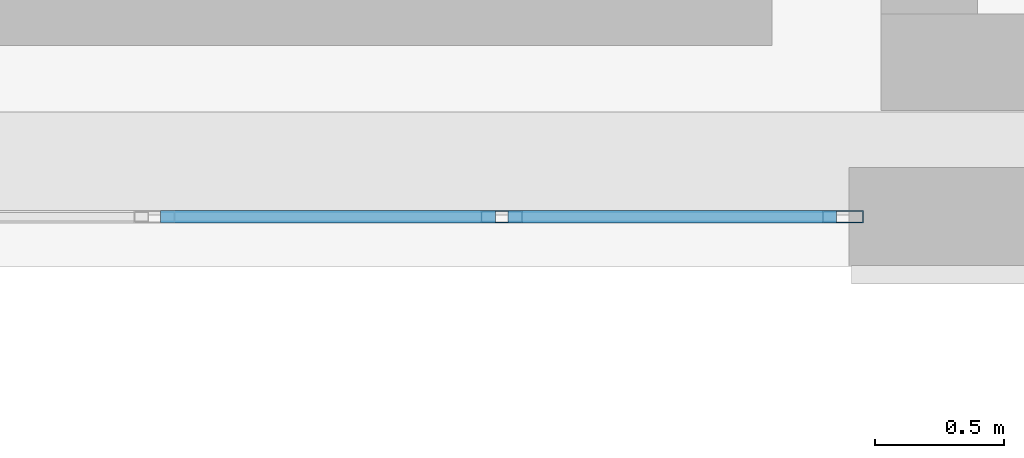
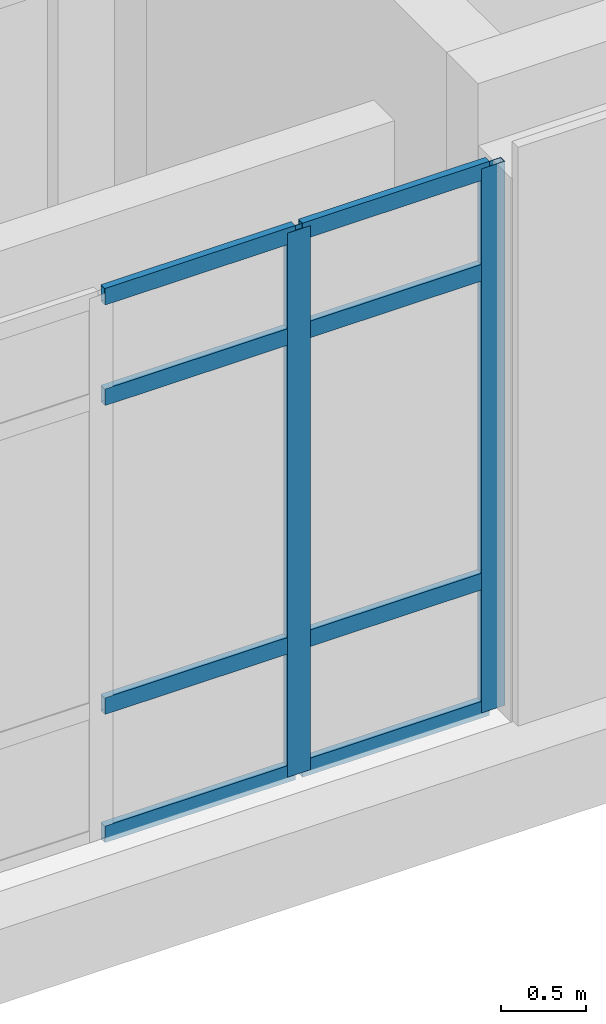
# One storey, part 18 of 90: 10 members, 1 element without a shape of its own.
"""IFC4 building model written with IfcOpenShell, lengths in metres."""

from ifc_helpers import new_model, si_unit, direction, frame, origin, origin_2d, place, context, subcontext, project, spatial, hollow_rectangle, extrude, material, layer, layer_set, material_profile, profile_set, type_object, element, aggregate, save


model = new_model("IFC4")

# Units and contexts
model_context = context("Model", 3, precision=1e-05, world=origin(), true_north=direction((0.0, 1.0)))
body_context = subcontext(model_context, "Body", "Model", "MODEL_VIEW")
ifc_project = project(units=[si_unit("LENGTHUNIT", "METRE"), si_unit("AREAUNIT", "SQUARE_METRE"), si_unit("VOLUMEUNIT", "CUBIC_METRE"), si_unit("PLANEANGLEUNIT", "RADIAN"), si_unit("MASSUNIT", "GRAM", prefix="KILO")], contexts=[model_context])

# Site, building, storey
site_placement = place(None, origin())
site = spatial("IfcSite", under=ifc_project, at=site_placement, CompositionType="ELEMENT")
building_placement = place(site_placement, origin())
building = spatial("IfcBuilding", under=site, at=building_placement, Name="Qalavern Law Courts", CompositionType="ELEMENT")
storey_placement = place(building_placement, frame((0.0, 0.0, 22.800048828125)))
storey = spatial("IfcBuildingStorey", under=building, at=storey_placement, Name="L05", CompositionType="ELEMENT", Elevation=22.800048828125)

# Curtain wall, members
ifc_material_1 = material(Name="Anodised aluminium and insulated glazing", Category="aluminium")
ifc_layer = layer(ifc_material_1, 0.159912109375)
ifc_layer_set = layer_set([ifc_layer], Name="Anodised aluminium and insulated glazing")
curtain_wall_type = type_object("IfcCurtainWallType", Name="ENV-CW-CHAMB", PredefinedType="USERDEFINED", material=ifc_layer_set)
curtain_wall_placement = place(storey_placement, origin())
curtain_wall = element("IfcCurtainWall", 1, at=curtain_wall_placement, inside=storey, type_object=curtain_wall_type, Name="V4 unitised curtain wall L05 south 2", ObjectType="UNITISED CURTAIN WALL", PredefinedType="USERDEFINED")
ifc_material_2 = material(Name="Anodised aluminium", Category="aluminium")
ifc_material_profile_1 = material_profile(ifc_material_2, hollow_rectangle(XDim=0.048095703125, YDim=0.159912109375, WallThickness=0.00390625, at=origin_2d()), Name="ALU MULLION 48x160")
ifc_profile_set_1 = profile_set([ifc_material_profile_1], Name="Anodised aluminium")
member_type_1 = type_object("IfcMemberType", Name="ENV-CWM-48x160", PredefinedType="MULLION", material=ifc_profile_set_1)
member_1_placement = place(storey_placement, frame((96.35009765625, 41.21240234375, 0.0), z_axis=(0.0, 0.0, 1.0), x_axis=(0.0, 1.0, 0.0)))
member_1 = element("IfcMember", 2, at=member_1_placement, type_object=member_type_1, Name="CW-04 mullion 4", PredefinedType="MULLION", context=body_context, shape_type="SweptSolid", body=[
    extrude(hollow_rectangle(XDim=0.048095703125, YDim=0.159912109375, WallThickness=0.00390625, at=origin_2d()), origin(), (0.0, 0.0, 1.0), 3.929931640625),
])
member_2_placement = place(storey_placement, frame((97.676025390625, 41.21240234375, 0.0), z_axis=(0.0, 0.0, 1.0), x_axis=(0.0, 1.0, 0.0)))
member_2 = element("IfcMember", 3, at=member_2_placement, type_object=member_type_1, Name="CW-04 mullion 5", PredefinedType="MULLION", context=body_context, shape_type="SweptSolid", body=[
    extrude(hollow_rectangle(XDim=0.048095703125, YDim=0.159912109375, WallThickness=0.00390625, at=origin_2d()), origin(), (0.0, 0.0, 1.0), 3.929931640625),
])
ifc_material_profile_2 = material_profile(ifc_material_2, hollow_rectangle(XDim=0.048095703125, YDim=0.1201171875, WallThickness=0.00390625, at=origin_2d()), Name="ALU TRANSOM 48x120")
ifc_profile_set_2 = profile_set([ifc_material_profile_2], Name="Anodised aluminium")
member_type_2 = type_object("IfcMemberType", Name="ENV-CWT-48x120", PredefinedType="USERDEFINED", material=ifc_profile_set_2)
member_3_placement = place(storey_placement, frame((95.02392578125, 41.21240234375, 0.02392578125), z_axis=(1.0, 0.0, 0.0), x_axis=(0.0, 1.0, 0.0)))
member_3 = element("IfcMember", 4, at=member_3_placement, type_object=member_type_2, Name="CW-04 transom 3.1", ObjectType="TRANSOM", PredefinedType="USERDEFINED", context=body_context, shape_type="SweptSolid", body=[
    extrude(hollow_rectangle(XDim=0.048095703125, YDim=0.1201171875, WallThickness=0.00390625, at=origin_2d()), origin(), (0.0, 0.0, 1.0), 1.302001953125),
])
member_4_placement = place(storey_placement, frame((95.02392578125, 41.21240234375, 0.949951171875), z_axis=(1.0, 0.0, 0.0), x_axis=(0.0, 1.0, 0.0)))
member_4 = element("IfcMember", 5, at=member_4_placement, type_object=member_type_2, Name="CW-04 transom 3.2", ObjectType="TRANSOM", PredefinedType="USERDEFINED", context=body_context, shape_type="SweptSolid", body=[
    extrude(hollow_rectangle(XDim=0.048095703125, YDim=0.1201171875, WallThickness=0.00390625, at=origin_2d()), origin(), (0.0, 0.0, 1.0), 1.302001953125),
])
member_5_placement = place(storey_placement, frame((95.02392578125, 41.21240234375, 3.179931640625), z_axis=(1.0, 0.0, 0.0), x_axis=(0.0, 1.0, 0.0)))
member_5 = element("IfcMember", 6, at=member_5_placement, type_object=member_type_2, Name="CW-04 transom 3.3", ObjectType="TRANSOM", PredefinedType="USERDEFINED", context=body_context, shape_type="SweptSolid", body=[
    extrude(hollow_rectangle(XDim=0.048095703125, YDim=0.1201171875, WallThickness=0.00390625, at=origin_2d()), origin(), (0.0, 0.0, 1.0), 1.302001953125),
])
member_6_placement = place(storey_placement, frame((95.02392578125, 41.21240234375, 3.906005859375), z_axis=(1.0, 0.0, 0.0), x_axis=(0.0, 1.0, 0.0)))
member_6 = element("IfcMember", 7, at=member_6_placement, type_object=member_type_2, Name="CW-04 transom 3.4", ObjectType="TRANSOM", PredefinedType="USERDEFINED", context=body_context, shape_type="SweptSolid", body=[
    extrude(hollow_rectangle(XDim=0.048095703125, YDim=0.1201171875, WallThickness=0.00390625, at=origin_2d()), origin(), (0.0, 0.0, 1.0), 1.302001953125),
])
member_7_placement = place(storey_placement, frame((96.3740234375, 41.21240234375, 0.02392578125), z_axis=(1.0, 0.0, 0.0), x_axis=(0.0, 1.0, 0.0)))
member_7 = element("IfcMember", 8, at=member_7_placement, type_object=member_type_2, Name="CW-04 transom 4.1", ObjectType="TRANSOM", PredefinedType="USERDEFINED", context=body_context, shape_type="SweptSolid", body=[
    extrude(hollow_rectangle(XDim=0.048095703125, YDim=0.1201171875, WallThickness=0.00390625, at=origin_2d()), origin(), (0.0, 0.0, 1.0), 1.278076171875),
])
member_8_placement = place(storey_placement, frame((96.3740234375, 41.21240234375, 0.949951171875), z_axis=(1.0, 0.0, 0.0), x_axis=(0.0, 1.0, 0.0)))
member_8 = element("IfcMember", 9, at=member_8_placement, type_object=member_type_2, Name="CW-04 transom 4.2", ObjectType="TRANSOM", PredefinedType="USERDEFINED", context=body_context, shape_type="SweptSolid", body=[
    extrude(hollow_rectangle(XDim=0.048095703125, YDim=0.1201171875, WallThickness=0.00390625, at=origin_2d()), origin(), (0.0, 0.0, 1.0), 1.278076171875),
])
member_9_placement = place(storey_placement, frame((96.3740234375, 41.21240234375, 3.179931640625), z_axis=(1.0, 0.0, 0.0), x_axis=(0.0, 1.0, 0.0)))
member_9 = element("IfcMember", 10, at=member_9_placement, type_object=member_type_2, Name="CW-04 transom 4.3", ObjectType="TRANSOM", PredefinedType="USERDEFINED", context=body_context, shape_type="SweptSolid", body=[
    extrude(hollow_rectangle(XDim=0.048095703125, YDim=0.1201171875, WallThickness=0.00390625, at=origin_2d()), origin(), (0.0, 0.0, 1.0), 1.278076171875),
])
member_10_placement = place(storey_placement, frame((96.3740234375, 41.21240234375, 3.906005859375), z_axis=(1.0, 0.0, 0.0), x_axis=(0.0, 1.0, 0.0)))
member_10 = element("IfcMember", 11, at=member_10_placement, type_object=member_type_2, Name="CW-04 transom 4.4", ObjectType="TRANSOM", PredefinedType="USERDEFINED", context=body_context, shape_type="SweptSolid", body=[
    extrude(hollow_rectangle(XDim=0.048095703125, YDim=0.1201171875, WallThickness=0.00390625, at=origin_2d()), origin(), (0.0, 0.0, 1.0), 1.278076171875),
])
aggregate(curtain_wall, [member_1, member_2, member_3, member_4, member_5, member_6, member_7, member_8, member_9, member_10])

save(model, "model.ifc")
